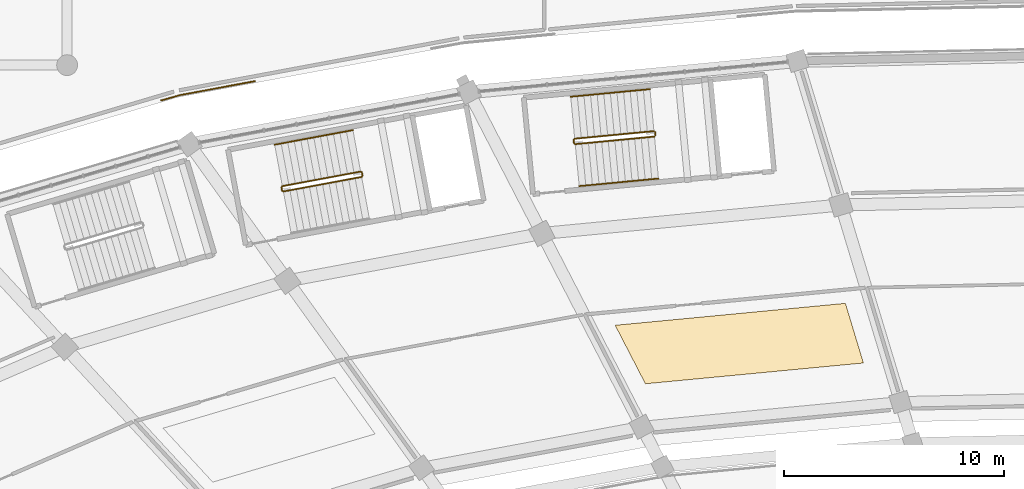
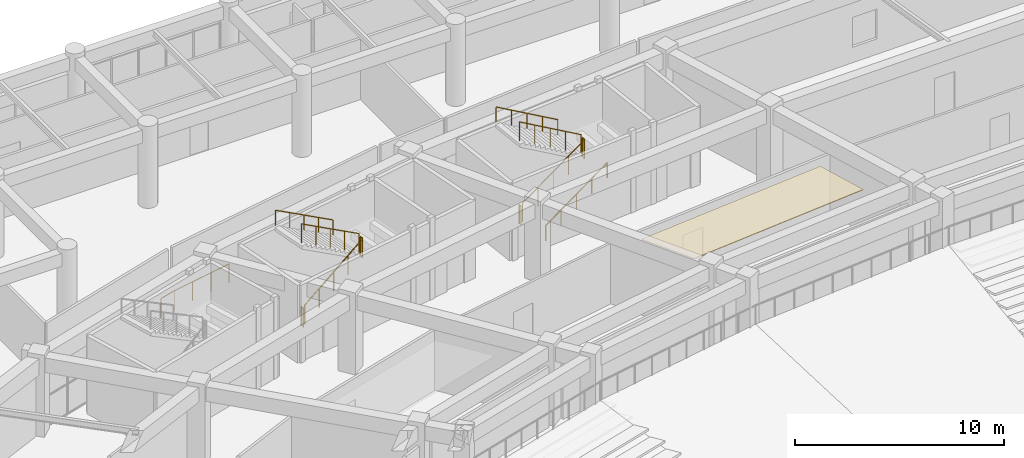
# One storey, part 147 of 152: 12 railings, 1 covering.
"""IFC4 building model written with IfcOpenShell, lengths in metres."""

from ifc_helpers import new_model, si_unit, direction, frame, origin, origin_2d, place, context, subcontext, project, spatial, polyline, circle, outline, extrude, material, layer, layer_set, type_object, element, save


model = new_model("IFC4")

# Units and contexts
model_context = context("Model", 3, precision=1e-05, world=origin(), true_north=direction((0.0, 1.0)))
body_context = subcontext(model_context, "Body", "Model", "MODEL_VIEW")
ifc_project = project(units=[si_unit("LENGTHUNIT", "METRE"), si_unit("AREAUNIT", "SQUARE_METRE"), si_unit("VOLUMEUNIT", "CUBIC_METRE"), si_unit("PLANEANGLEUNIT", "RADIAN"), si_unit("MASSUNIT", "GRAM", prefix="KILO")], contexts=[model_context])

# Site, building, storey
site_placement = place(None, origin())
site = spatial("IfcSite", under=ifc_project, at=site_placement, CompositionType="ELEMENT")
building_placement = place(site_placement, origin())
building = spatial("IfcBuilding", under=site, at=building_placement, Name="Mphavela Belvedere Stadium", CompositionType="ELEMENT")
storey_placement = place(building_placement, frame((0.0, 0.0, 5.39990234375)))
storey = spatial("IfcBuildingStorey", under=building, at=storey_placement, Name="L01", CompositionType="ELEMENT", Elevation=5.39990234375)

# Covering
ifc_material_1 = material(Name="Perforated acoustic mineral ceiling tile")
ifc_layer = layer(ifc_material_1, 0.0400390625)
ifc_layer_set = layer_set([ifc_layer], Name="Perforated acoustic mineral ceiling tile")
covering_type = type_object("IfcCoveringType", Name="COV-CEILING-ACOUSTIC", PredefinedType="CEILING", material=ifc_layer_set)
covering_placement = place(storey_placement, frame((0.0, 0.0, 3.5)))
element("IfcCovering", 1, at=covering_placement, inside=storey, type_object=covering_type, Name="Concourse acoustic ceiling L01-14", PredefinedType="CEILING", context=body_context, shape_type="SweptSolid", body=[
    extrude(outline(polyline([(95.889404296875, 146.43701171875), (85.961181640625, 145.490234375), (84.58447265625, 148.1552734375), (95.068115234375, 149.15478515625), (95.889404296875, 146.43701171875)])), origin(), (0.0, 0.0, 1.0), 0.0400390625),
])

# Railings
ifc_material_2 = material(Name="Bronze and laminated glass stadium balustrade", Category="glass")
railing_type_1 = type_object("IfcRailingType", Name="RAL-BALUSTRADE-1120", PredefinedType="BALUSTRADE", material=ifc_material_2)
railing_1_placement = place(storey_placement, frame((68.1826171875, 159.271728515625, 0.0)))
element("IfcRailing", 2, at=railing_1_placement, inside=storey, type_object=railing_type_1, Name="Peristyle wing gallery edge balustrade L01-32", PredefinedType="BALUSTRADE", context=body_context, shape_type="SweptSolid", body=[
    extrude(circle(Radius=0.02392578125, at=origin_2d()), frame((0.0, 0.0, 1.09619140625), z_axis=(-0.983089595219, -0.183125224291, 0.0), x_axis=(0.183125224291, -0.983089595219, 0.0)), (0.0, 0.0, 1.0), 3.459716796875),
    extrude(circle(Radius=0.02392578125, at=origin_2d()), frame((-3.401123046875, -0.633544921875, 1.09619140625), z_axis=(-0.96248917912, -0.271320069434, 0.0), x_axis=(0.271320069434, -0.96248917912, 0.0)), (0.0, 0.0, 1.0), 0.91064453125),
    extrude(circle(Radius=0.02099609375, at=origin_2d()), origin(), (0.0, 0.0, 1.0), 1.072021484375),
    extrude(circle(Radius=0.02099609375, at=origin_2d()), frame((-1.1337890625, -0.211181640625, 0.0)), (0.0, 0.0, 1.0), 1.072021484375),
    extrude(circle(Radius=0.02099609375, at=origin_2d()), frame((-2.267333984375, -0.42236328125, 0.0)), (0.0, 0.0, 1.0), 1.072021484375),
    extrude(circle(Radius=0.02099609375, at=origin_2d()), frame((-3.401123046875, -0.633544921875, 0.0)), (0.0, 0.0, 1.0), 1.072021484375),
    extrude(circle(Radius=0.02099609375, at=origin_2d()), frame((-4.277587890625, -0.880615234375, 0.0)), (0.0, 0.0, 1.0), 1.072021484375),
])
ifc_material_3 = material(Name="Painted galvanised steel stair guardrail", Category="steel")
railing_type_2 = type_object("IfcRailingType", Name="RAL-GUARD-1120", PredefinedType="GUARDRAIL", material=ifc_material_3)
railing_2_placement = place(storey_placement, frame((69.47607421875, 154.24609375, 0.184814453125)))
element("IfcRailing", 3, at=railing_2_placement, inside=storey, type_object=railing_type_2, Name="L01 ST-C02 stair guard 1", PredefinedType="GUARDRAIL", context=body_context, shape_type="SweptSolid", body=[
    extrude(circle(Radius=0.02392578125, at=origin_2d()), frame((0.0, 0.0, 1.09619140625), z_axis=(0.838788087983, 0.156227370872, 0.521562606068), x_axis=(-0.183104767783, 0.983093405539, 0.0)), (0.0, 0.0, 1.0), 4.24755859375),
    extrude(circle(Radius=0.02099609375, at=origin_2d()), origin(), (0.0, 0.0, 1.0), 1.072021484375),
    extrude(circle(Radius=0.02099609375, at=origin_2d()), frame((0.890625, 0.166015625, 0.5537109375)), (0.0, 0.0, 1.0), 1.072021484375),
    extrude(circle(Radius=0.02099609375, at=origin_2d()), frame((1.78125, 0.331787109375, 1.107666015625)), (0.0, 0.0, 1.0), 1.072021484375),
    extrude(circle(Radius=0.02099609375, at=origin_2d()), frame((2.672119140625, 0.49755859375, 1.66162109375)), (0.0, 0.0, 1.0), 1.072021484375),
    extrude(circle(Radius=0.02099609375, at=origin_2d()), frame((3.562744140625, 0.66357421875, 2.21533203125)), (0.0, 0.0, 1.0), 1.072021484375),
])
railing_3_placement = place(storey_placement, frame((73.07861328125, 154.968017578125, 2.400146484375)))
element("IfcRailing", 4, at=railing_3_placement, inside=storey, type_object=railing_type_2, Name="L01 ST-C02 stair guard 2", PredefinedType="GUARDRAIL", context=body_context, shape_type="SweptSolid", body=[
    extrude(circle(Radius=0.02392578125, at=origin_2d()), frame((0.0, 0.0, 1.09619140625), z_axis=(-0.182322426032, 0.983238797529, 0.0), x_axis=(-0.983238797529, -0.182322426032, 0.0)), (0.0, 0.0, 1.0), 0.14990234375),
    extrude(circle(Radius=0.02099609375, at=origin_2d()), origin(), (0.0, 0.0, 1.0), 1.072021484375),
    extrude(circle(Radius=0.02099609375, at=origin_2d()), frame((-0.02734375, 0.1474609375, 0.0)), (0.0, 0.0, 1.0), 1.072021484375),
])
railing_4_placement = place(storey_placement, frame((72.992919921875, 155.155517578125, 2.584716796875)))
element("IfcRailing", 5, at=railing_4_placement, inside=storey, type_object=railing_type_2, Name="L01 ST-C02 stair guard 3", PredefinedType="GUARDRAIL", context=body_context, shape_type="SweptSolid", body=[
    extrude(circle(Radius=0.02392578125, at=origin_2d()), frame((0.0, 0.0, 1.09619140625), z_axis=(-0.838788087983, -0.156227370872, 0.521562606068), x_axis=(0.183104767783, -0.983093405539, 0.0)), (0.0, 0.0, 1.0), 4.24755859375),
    extrude(circle(Radius=0.02099609375, at=origin_2d()), origin(), (0.0, 0.0, 1.0), 1.072021484375),
    extrude(circle(Radius=0.02099609375, at=origin_2d()), frame((-0.890625, -0.166015625, 0.5537109375)), (0.0, 0.0, 1.0), 1.072021484375),
    extrude(circle(Radius=0.02099609375, at=origin_2d()), frame((-1.78125, -0.331787109375, 1.107666015625)), (0.0, 0.0, 1.0), 1.072021484375),
    extrude(circle(Radius=0.02099609375, at=origin_2d()), frame((-2.672119140625, -0.49755859375, 1.66162109375)), (0.0, 0.0, 1.0), 1.072021484375),
    extrude(circle(Radius=0.02099609375, at=origin_2d()), frame((-3.562744140625, -0.66357421875, 2.21533203125)), (0.0, 0.0, 1.0), 1.072021484375),
])
railing_5_placement = place(storey_placement, frame((69.417724609375, 154.2861328125, 0.0)))
element("IfcRailing", 6, at=railing_5_placement, inside=storey, type_object=railing_type_2, Name="L01 ST-C02 stair guard 4", PredefinedType="GUARDRAIL", context=body_context, shape_type="SweptSolid", body=[
    extrude(circle(Radius=0.02392578125, at=origin_2d()), frame((0.0, 0.0, 1.09619140625), z_axis=(-0.183895489382, 0.982945801652, 0.0), x_axis=(-0.982945801652, -0.183895489382, 0.0)), (0.0, 0.0, 1.0), 0.14990234375),
    extrude(circle(Radius=0.02099609375, at=origin_2d()), origin(), (0.0, 0.0, 1.0), 1.072021484375),
    extrude(circle(Radius=0.02099609375, at=origin_2d()), frame((-0.027587890625, 0.1474609375, 0.0)), (0.0, 0.0, 1.0), 1.072021484375),
])
railing_6_placement = place(storey_placement, frame((82.765869140625, 156.4033203125, 0.184814453125)))
element("IfcRailing", 7, at=railing_6_placement, inside=storey, type_object=railing_type_2, Name="L01 ST-C04 stair guard 1", PredefinedType="GUARDRAIL", context=body_context, shape_type="SweptSolid", body=[
    extrude(circle(Radius=0.02392578125, at=origin_2d()), frame((0.0, 0.0, 1.09619140625), z_axis=(0.849341639897, 0.081048437483, 0.521584057961), x_axis=(-0.094993491468, 0.995477893566, 0.0)), (0.0, 0.0, 1.0), 4.247314453125),
    extrude(circle(Radius=0.02099609375, at=origin_2d()), origin(), (0.0, 0.0, 1.0), 1.072021484375),
    extrude(circle(Radius=0.02099609375, at=origin_2d()), frame((0.90185546875, 0.0859375, 0.5537109375)), (0.0, 0.0, 1.0), 1.072021484375),
    extrude(circle(Radius=0.02099609375, at=origin_2d()), frame((1.8037109375, 0.172119140625, 1.107666015625)), (0.0, 0.0, 1.0), 1.072021484375),
    extrude(circle(Radius=0.02099609375, at=origin_2d()), frame((2.70556640625, 0.25830078125, 1.66162109375)), (0.0, 0.0, 1.0), 1.072021484375),
    extrude(circle(Radius=0.02099609375, at=origin_2d()), frame((3.607421875, 0.34423828125, 2.21533203125)), (0.0, 0.0, 1.0), 1.072021484375),
])
railing_7_placement = place(storey_placement, frame((86.41845703125, 156.802001953125, 2.400146484375)))
element("IfcRailing", 8, at=railing_7_placement, inside=storey, type_object=railing_type_2, Name="L01 ST-C04 stair guard 2", PredefinedType="GUARDRAIL", context=body_context, shape_type="SweptSolid", body=[
    extrude(circle(Radius=0.02392578125, at=origin_2d()), frame((0.0, 0.0, 1.09619140625), z_axis=(-0.095960333934, 0.995385158776, 0.0), x_axis=(-0.995385158776, -0.095960333934, 0.0)), (0.0, 0.0, 1.0), 0.150146484375),
    extrude(circle(Radius=0.02099609375, at=origin_2d()), origin(), (0.0, 0.0, 1.0), 1.072021484375),
    extrude(circle(Radius=0.02099609375, at=origin_2d()), frame((-0.014404296875, 0.1494140625, 0.0)), (0.0, 0.0, 1.0), 1.072021484375),
])
railing_8_placement = place(storey_placement, frame((86.349609375, 156.996337890625, 2.584716796875)))
element("IfcRailing", 9, at=railing_8_placement, inside=storey, type_object=railing_type_2, Name="L01 ST-C04 stair guard 3", PredefinedType="GUARDRAIL", context=body_context, shape_type="SweptSolid", body=[
    extrude(circle(Radius=0.02392578125, at=origin_2d()), frame((0.0, 0.0, 1.09619140625), z_axis=(-0.849357654055, -0.081044480762, 0.521558594633), x_axis=(0.094987121002, -0.995478501447, 0.0)), (0.0, 0.0, 1.0), 4.24755859375),
    extrude(circle(Radius=0.02099609375, at=origin_2d()), origin(), (0.0, 0.0, 1.0), 1.072021484375),
    extrude(circle(Radius=0.02099609375, at=origin_2d()), frame((-0.90185546875, -0.0859375, 0.5537109375)), (0.0, 0.0, 1.0), 1.072021484375),
    extrude(circle(Radius=0.02099609375, at=origin_2d()), frame((-1.8037109375, -0.172119140625, 1.107666015625)), (0.0, 0.0, 1.0), 1.072021484375),
    extrude(circle(Radius=0.02099609375, at=origin_2d()), frame((-2.705810546875, -0.25830078125, 1.66162109375)), (0.0, 0.0, 1.0), 1.072021484375),
    extrude(circle(Radius=0.02099609375, at=origin_2d()), frame((-3.607666015625, -0.34423828125, 2.21533203125)), (0.0, 0.0, 1.0), 1.072021484375),
])
railing_9_placement = place(storey_placement, frame((82.711181640625, 156.448486328125, 0.0)))
element("IfcRailing", 10, at=railing_9_placement, inside=storey, type_object=railing_type_2, Name="L01 ST-C04 stair guard 4", PredefinedType="GUARDRAIL", context=body_context, shape_type="SweptSolid", body=[
    extrude(circle(Radius=0.02392578125, at=origin_2d()), frame((0.0, 0.0, 1.09619140625), z_axis=(-0.094501527919, 0.995524716529, 0.0), x_axis=(-0.995524716529, -0.094501527919, 0.0)), (0.0, 0.0, 1.0), 0.14990234375),
    extrude(circle(Radius=0.02099609375, at=origin_2d()), origin(), (0.0, 0.0, 1.0), 1.072021484375),
    extrude(circle(Radius=0.02099609375, at=origin_2d()), frame((-0.01416015625, 0.149169921875, 0.0)), (0.0, 0.0, 1.0), 1.072021484375),
])
ifc_material_4 = material(Name="Brushed stainless steel tubular handrail", Category="steel")
railing_type_3 = type_object("IfcRailingType", Name="RAL-HANDRAIL-900", PredefinedType="HANDRAIL", material=ifc_material_4)
railing_10_placement = place(storey_placement, frame((72.641357421875, 157.04296875, 2.584716796875)))
element("IfcRailing", 11, at=railing_10_placement, inside=storey, type_object=railing_type_3, Name="L01 ST-C02 stair handrail 2", PredefinedType="HANDRAIL", context=body_context, shape_type="SweptSolid", body=[
    extrude(circle(Radius=0.02392578125, at=origin_2d()), frame((0.0, 0.0, 0.8759765625), z_axis=(-0.838788087983, -0.156227370872, 0.521562606068), x_axis=(0.183104767783, -0.983093405539, 0.0)), (0.0, 0.0, 1.0), 4.24755859375),
    extrude(circle(Radius=0.02099609375, at=origin_2d()), origin(), (0.0, 0.0, 1.0), 0.851806640625),
    extrude(circle(Radius=0.02099609375, at=origin_2d()), frame((-0.890625, -0.166015625, 0.5537109375)), (0.0, 0.0, 1.0), 0.851806640625),
    extrude(circle(Radius=0.02099609375, at=origin_2d()), frame((-1.78125, -0.331787109375, 1.107666015625)), (0.0, 0.0, 1.0), 0.851806640625),
    extrude(circle(Radius=0.02099609375, at=origin_2d()), frame((-2.672119140625, -0.49755859375, 1.66162109375)), (0.0, 0.0, 1.0), 0.851806640625),
    extrude(circle(Radius=0.02099609375, at=origin_2d()), frame((-3.562744140625, -0.66357421875, 2.21533203125)), (0.0, 0.0, 1.0), 0.851806640625),
])
railing_11_placement = place(storey_placement, frame((82.947998046875, 154.491943359375, 0.184814453125)))
element("IfcRailing", 12, at=railing_11_placement, inside=storey, type_object=railing_type_3, Name="L01 ST-C04 stair handrail 1", PredefinedType="HANDRAIL", context=body_context, shape_type="SweptSolid", body=[
    extrude(circle(Radius=0.02392578125, at=origin_2d()), frame((0.0, 0.0, 0.8759765625), z_axis=(0.849357654055, 0.081044480762, 0.521558594633), x_axis=(-0.094987121002, 0.995478501447, 0.0)), (0.0, 0.0, 1.0), 4.24755859375),
    extrude(circle(Radius=0.02099609375, at=origin_2d()), origin(), (0.0, 0.0, 1.0), 0.851806640625),
    extrude(circle(Radius=0.02099609375, at=origin_2d()), frame((0.90185546875, 0.0859375, 0.5537109375)), (0.0, 0.0, 1.0), 0.851806640625),
    extrude(circle(Radius=0.02099609375, at=origin_2d()), frame((1.8037109375, 0.172119140625, 1.107666015625)), (0.0, 0.0, 1.0), 0.851806640625),
    extrude(circle(Radius=0.02099609375, at=origin_2d()), frame((2.705810546875, 0.25830078125, 1.66162109375)), (0.0, 0.0, 1.0), 0.851806640625),
    extrude(circle(Radius=0.02099609375, at=origin_2d()), frame((3.607666015625, 0.34423828125, 2.21533203125)), (0.0, 0.0, 1.0), 0.851806640625),
])
railing_12_placement = place(storey_placement, frame((86.167236328125, 158.90771484375, 2.584716796875)))
element("IfcRailing", 13, at=railing_12_placement, inside=storey, type_object=railing_type_3, Name="L01 ST-C04 stair handrail 2", PredefinedType="HANDRAIL", context=body_context, shape_type="SweptSolid", body=[
    extrude(circle(Radius=0.02392578125, at=origin_2d()), frame((0.0, 0.0, 0.8759765625), z_axis=(-0.849357654055, -0.081044480762, 0.521558594633), x_axis=(0.094987121002, -0.995478501447, 0.0)), (0.0, 0.0, 1.0), 4.24755859375),
    extrude(circle(Radius=0.02099609375, at=origin_2d()), origin(), (0.0, 0.0, 1.0), 0.851806640625),
    extrude(circle(Radius=0.02099609375, at=origin_2d()), frame((-0.90185546875, -0.0859375, 0.5537109375)), (0.0, 0.0, 1.0), 0.851806640625),
    extrude(circle(Radius=0.02099609375, at=origin_2d()), frame((-1.8037109375, -0.172119140625, 1.107666015625)), (0.0, 0.0, 1.0), 0.851806640625),
    extrude(circle(Radius=0.02099609375, at=origin_2d()), frame((-2.705810546875, -0.25830078125, 1.66162109375)), (0.0, 0.0, 1.0), 0.851806640625),
    extrude(circle(Radius=0.02099609375, at=origin_2d()), frame((-3.607666015625, -0.34423828125, 2.21533203125)), (0.0, 0.0, 1.0), 0.851806640625),
])

save(model, "model.ifc")
